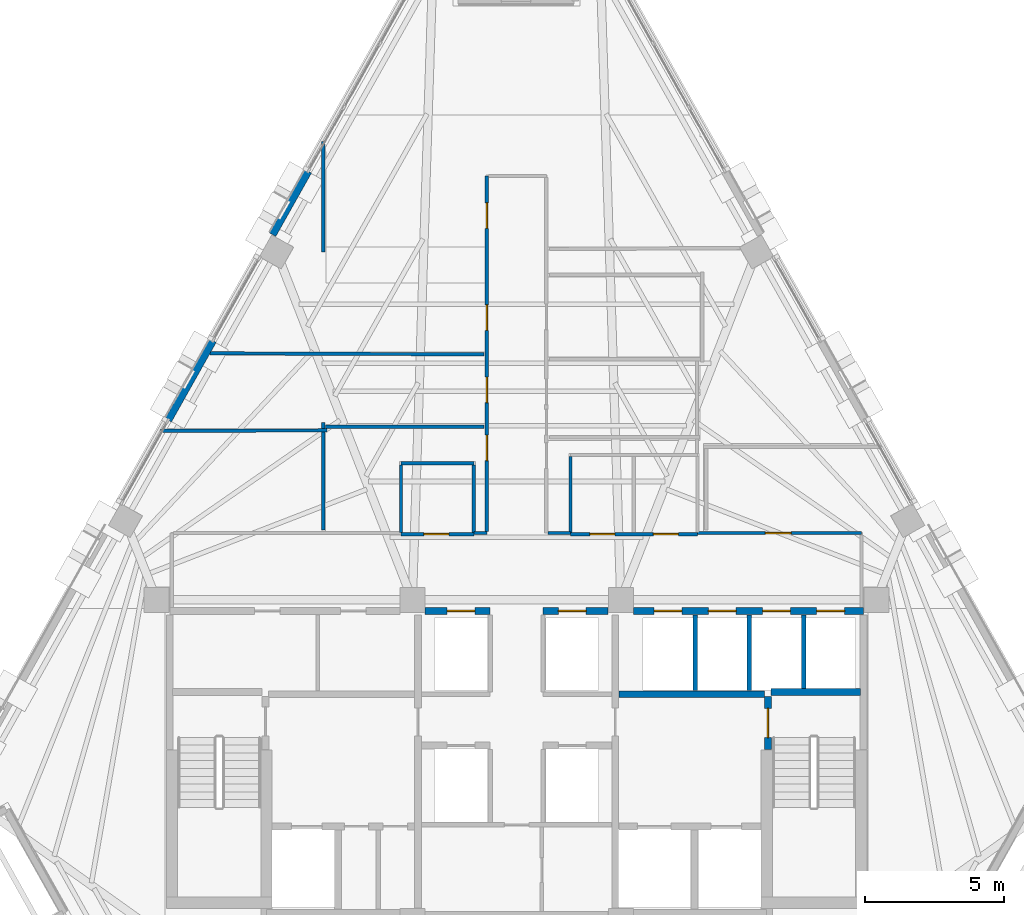
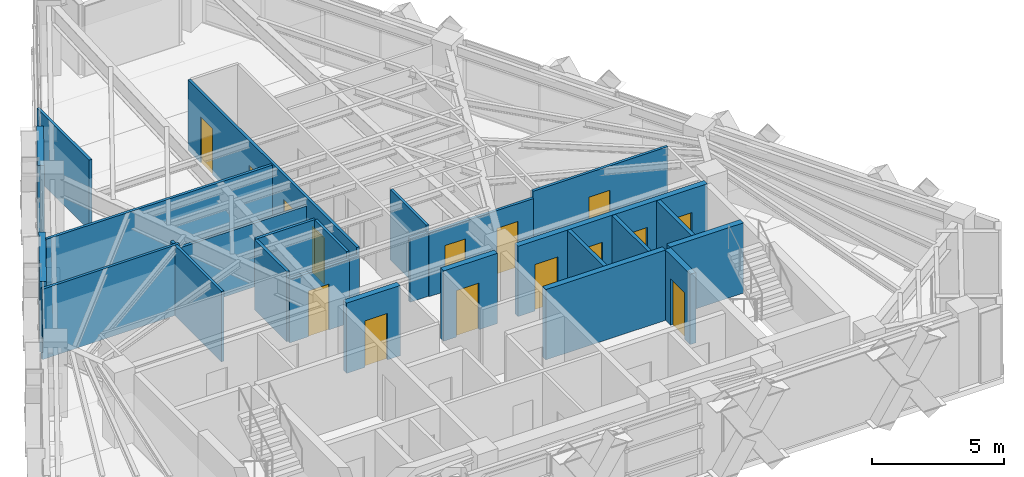
# One storey, part 9 of 15: 27 walls, 15 doors, 15 openings.
"""IFC4 building model written with IfcOpenShell, lengths in metres."""

from ifc_helpers import new_model, si_unit, direction, frame, frame_2d, origin, place, context, subcontext, project, spatial, rectangle, extrude, material, layer, layer_set, type_object, element, fill, save


model = new_model("IFC4")

# Units and contexts
model_context = context("Model", 3, precision=1e-05, world=origin(), true_north=direction((0.0, 1.0)))
body_context = subcontext(model_context, "Body", "Model", "MODEL_VIEW")
ifc_project = project(units=[si_unit("LENGTHUNIT", "METRE"), si_unit("AREAUNIT", "SQUARE_METRE"), si_unit("VOLUMEUNIT", "CUBIC_METRE"), si_unit("PLANEANGLEUNIT", "RADIAN"), si_unit("MASSUNIT", "GRAM", prefix="KILO")], contexts=[model_context])

# Site, building, storey
site_placement = place(None, origin())
site = spatial("IfcSite", under=ifc_project, at=site_placement, CompositionType="ELEMENT")
building_placement = place(site_placement, origin())
building = spatial("IfcBuilding", under=site, at=building_placement, Name="Quenlor Broadcast Tower", CompositionType="ELEMENT")
storey_placement = place(building_placement, frame((0.0, 0.0, 183.39990234375)))
storey = spatial("IfcBuildingStorey", under=building, at=storey_placement, Name="L50", CompositionType="ELEMENT", Elevation=183.39990234375)

# Wall, opening, door
ifc_material_1 = material(Name="Concrete C40/50", Category="concrete")
ifc_layer_1 = layer(ifc_material_1, 0.25)
ifc_layer_set_1 = layer_set([ifc_layer_1], Name="Fire Rated Concrete C40/50 Core Wall 250")
wall_type_1 = type_object("IfcWallType", Name="Fire Rated Concrete C40/50 Core Wall 250", PredefinedType="PARTITIONING", material=ifc_layer_set_1)
wall_1_placement = place(storey_placement, frame((9.0400390625, -10.179931640625, 0.0), z_axis=(0.0, 0.0, 1.0), x_axis=(0.0, 1.0, 0.0)))
wall_1 = element("IfcWall", 1, at=wall_1_placement, inside=storey, type_object=wall_type_1, Name="L50 Interior Wall CW-ST2-DR", PredefinedType="PARTITIONING", context=body_context, shape_type="SweptSolid", body=[
    extrude(rectangle(XDim=1.89990234375, YDim=0.25, at=frame_2d((0.949951171875, 0.0))), origin(), (0.0, 0.0, 1.0), 3.25),
])
opening_1_placement = place(wall_1_placement, frame((0.419921875, 0.0, 0.0)))
opening_1 = element("IfcOpeningElement", 2, at=opening_1_placement, cuts=wall_1, Name="Opening FD-1", PredefinedType="OPENING", context=body_context, shape_type="SweptSolid", body=[
    extrude(rectangle(XDim=1.050048828125, YDim=2.14990234375, at=frame_2d((0.52490234375, 1.074951171875))), frame((0.0, 0.135009765625, 0.0), z_axis=(0.0, -1.0, 0.0), x_axis=(1.0, 0.0, 0.0)), (0.0, 0.0, 1.0), 0.27001953125),
])
ifc_material_2 = material(Name="Fire Rated Steel Door Leaf", Category="steel")
door_type_1 = type_object("IfcDoorType", Name="Fire Isolated Stair Door 1050x2150", OperationType="NOTDEFINED", PredefinedType="DOOR", material=ifc_material_2)
door_1_placement = place(opening_1_placement, origin())
door_1 = element("IfcDoor", 3, at=door_1_placement, inside=storey, type_object=door_type_1, Name="L50 Door DR-ST2", OperationType="SINGLE_SWING_RIGHT", OverallHeight=2.14990234375, OverallWidth=1.050048828125, PredefinedType="DOOR", context=body_context, shape_type="SweptSolid", body=[
    extrude(rectangle(XDim=1.050048828125, YDim=2.14990234375, at=frame_2d((0.52490234375, 1.074951171875))), frame((0.0, 0.02490234375, 0.0), z_axis=(0.0, -1.0, 0.0), x_axis=(1.0, 0.0, 0.0)), (0.0, 0.0, 1.0), 0.050048828125),
])
fill(opening_1, door_1)

# Walls
wall_2_placement = place(storey_placement, frame((9.159912109375, -8.1201171875, 0.0), z_axis=(0.0, 0.0, 1.0), x_axis=(1.0, 0.0, 0.0)))
element("IfcWall", 4, at=wall_2_placement, inside=storey, type_object=wall_type_1, Name="L50 Interior Wall CW-ST2-N", PredefinedType="PARTITIONING", context=body_context, shape_type="SweptSolid", body=[
    extrude(rectangle(XDim=3.219970703125, YDim=0.25, at=frame_2d((1.60986328125, 0.0))), origin(), (0.0, 0.0, 1.0), 3.25),
])
wall_3_placement = place(storey_placement, frame((3.679931640625, -8.199951171875, 0.0), z_axis=(0.0, 0.0, 1.0), x_axis=(1.0, 0.0, 0.0)))
element("IfcWall", 5, at=wall_3_placement, inside=storey, type_object=wall_type_1, Name="L50 Interior Wall CW-FFE-N", PredefinedType="PARTITIONING", context=body_context, shape_type="SweptSolid", body=[
    extrude(rectangle(XDim=5.239990234375, YDim=0.25, at=frame_2d((2.6201171875, 0.0))), origin(), (0.0, 0.0, 1.0), 3.25),
])

# Wall, openings, doors
wall_4_placement = place(storey_placement, frame((4.201904296875, -5.199951171875, 0.0), z_axis=(0.0, 0.0, 1.0), x_axis=(1.0, 0.0, 0.0)))
wall_4 = element("IfcWall", 6, at=wall_4_placement, inside=storey, type_object=wall_type_1, Name="L50 Interior Wall CW-N-E", PredefinedType="PARTITIONING", context=body_context, shape_type="SweptSolid", body=[
    extrude(rectangle(XDim=8.278076171875, YDim=0.25, at=frame_2d((4.13916015625, 0.0))), origin(), (0.0, 0.0, 1.0), 3.25),
])
opening_2_placement = place(wall_4_placement, frame((0.748046875, 0.0, 0.0)))
opening_2 = element("IfcOpeningElement", 7, at=opening_2_placement, cuts=wall_4, Name="Opening LD-PL-H1", PredefinedType="OPENING", context=body_context, shape_type="SweptSolid", body=[
    extrude(rectangle(XDim=1.0, YDim=2.14990234375, at=frame_2d((0.5, 1.074951171875))), frame((0.0, 0.135009765625, 0.0), z_axis=(0.0, -1.0, 0.0), x_axis=(1.0, 0.0, 0.0)), (0.0, 0.0, 1.0), 0.27001953125),
])
opening_3_placement = place(wall_4_placement, frame((2.697998046875, 0.0, 0.0)))
opening_3 = element("IfcOpeningElement", 8, at=opening_3_placement, cuts=wall_4, Name="Opening LD-PL-H2", PredefinedType="OPENING", context=body_context, shape_type="SweptSolid", body=[
    extrude(rectangle(XDim=1.0, YDim=2.14990234375, at=frame_2d((0.5, 1.074951171875))), frame((0.0, 0.135009765625, 0.0), z_axis=(0.0, -1.0, 0.0), x_axis=(1.0, 0.0, 0.0)), (0.0, 0.0, 1.0), 0.27001953125),
])
opening_4_placement = place(wall_4_placement, frame((4.64794921875, 0.0, 0.0)))
opening_4 = element("IfcOpeningElement", 9, at=opening_4_placement, cuts=wall_4, Name="Opening LD-PL-H3", PredefinedType="OPENING", context=body_context, shape_type="SweptSolid", body=[
    extrude(rectangle(XDim=1.0, YDim=2.14990234375, at=frame_2d((0.5, 1.074951171875))), frame((0.0, 0.135009765625, 0.0), z_axis=(0.0, -1.0, 0.0), x_axis=(1.0, 0.0, 0.0)), (0.0, 0.0, 1.0), 0.27001953125),
])
opening_5_placement = place(wall_4_placement, frame((6.597900390625, 0.0, 0.0)))
opening_5 = element("IfcOpeningElement", 10, at=opening_5_placement, cuts=wall_4, Name="Opening LD-PL-H4", PredefinedType="OPENING", context=body_context, shape_type="SweptSolid", body=[
    extrude(rectangle(XDim=1.0, YDim=2.14990234375, at=frame_2d((0.5, 1.074951171875))), frame((0.0, 0.135009765625, 0.0), z_axis=(0.0, -1.0, 0.0), x_axis=(1.0, 0.0, 0.0)), (0.0, 0.0, 1.0), 0.27001953125),
])
ifc_material_3 = material(Name="Brushed Stainless Steel", Category="steel")
door_type_2 = type_object("IfcDoorType", Name="Passenger Lift Sliding Landing Door 1000x2150", OperationType="NOTDEFINED", PredefinedType="DOOR", material=ifc_material_3)
door_2_placement = place(opening_2_placement, origin())
door_2 = element("IfcDoor", 11, at=door_2_placement, inside=storey, type_object=door_type_2, Name="L50 Door LD-PL-H1", OperationType="SLIDING_TO_RIGHT", OverallHeight=2.14990234375, OverallWidth=1.0, PredefinedType="DOOR", context=body_context, shape_type="SweptSolid", body=[
    extrude(rectangle(XDim=1.0, YDim=2.14990234375, at=frame_2d((0.5, 1.074951171875))), frame((0.0, 0.02490234375, 0.0), z_axis=(0.0, -1.0, 0.0), x_axis=(1.0, 0.0, 0.0)), (0.0, 0.0, 1.0), 0.050048828125),
])
fill(opening_2, door_2)
door_3_placement = place(opening_3_placement, origin())
door_3 = element("IfcDoor", 12, at=door_3_placement, inside=storey, type_object=door_type_2, Name="L50 Door LD-PL-H2", OperationType="SLIDING_TO_RIGHT", OverallHeight=2.14990234375, OverallWidth=1.0, PredefinedType="DOOR", context=body_context, shape_type="SweptSolid", body=[
    extrude(rectangle(XDim=1.0, YDim=2.14990234375, at=frame_2d((0.5, 1.074951171875))), frame((0.0, 0.02490234375, 0.0), z_axis=(0.0, -1.0, 0.0), x_axis=(1.0, 0.0, 0.0)), (0.0, 0.0, 1.0), 0.050048828125),
])
fill(opening_3, door_3)
door_4_placement = place(opening_4_placement, origin())
door_4 = element("IfcDoor", 13, at=door_4_placement, inside=storey, type_object=door_type_2, Name="L50 Door LD-PL-H3", OperationType="SLIDING_TO_RIGHT", OverallHeight=2.14990234375, OverallWidth=1.0, PredefinedType="DOOR", context=body_context, shape_type="SweptSolid", body=[
    extrude(rectangle(XDim=1.0, YDim=2.14990234375, at=frame_2d((0.5, 1.074951171875))), frame((0.0, 0.02490234375, 0.0), z_axis=(0.0, -1.0, 0.0), x_axis=(1.0, 0.0, 0.0)), (0.0, 0.0, 1.0), 0.050048828125),
])
fill(opening_4, door_4)
door_5_placement = place(opening_5_placement, origin())
door_5 = element("IfcDoor", 14, at=door_5_placement, inside=storey, type_object=door_type_2, Name="L50 Door LD-PL-H4", OperationType="SLIDING_TO_RIGHT", OverallHeight=2.14990234375, OverallWidth=1.0, PredefinedType="DOOR", context=body_context, shape_type="SweptSolid", body=[
    extrude(rectangle(XDim=1.0, YDim=2.14990234375, at=frame_2d((0.5, 1.074951171875))), frame((0.0, 0.02490234375, 0.0), z_axis=(0.0, -1.0, 0.0), x_axis=(1.0, 0.0, 0.0)), (0.0, 0.0, 1.0), 0.050048828125),
])
fill(opening_5, door_5)

# Wall, opening, door
wall_5_placement = place(storey_placement, frame((-3.298095703125, -5.199951171875, 0.0), z_axis=(0.0, 0.0, 1.0), x_axis=(1.0, 0.0, 0.0)))
wall_5 = element("IfcWall", 15, at=wall_5_placement, inside=storey, type_object=wall_type_1, Name="L50 Interior Wall CW-N-M1", PredefinedType="PARTITIONING", context=body_context, shape_type="SweptSolid", body=[
    extrude(rectangle(XDim=2.34814453125, YDim=0.25, at=frame_2d((1.174072265625, 0.0))), origin(), (0.0, 0.0, 1.0), 3.25),
])
opening_6_placement = place(wall_5_placement, frame((0.798095703125, 0.0, 0.0)))
opening_6 = element("IfcOpeningElement", 16, at=opening_6_placement, cuts=wall_5, Name="Opening LD-PL-M1", PredefinedType="OPENING", context=body_context, shape_type="SweptSolid", body=[
    extrude(rectangle(XDim=1.0, YDim=2.14990234375, at=frame_2d((0.5, 1.074951171875))), frame((0.0, 0.135009765625, 0.0), z_axis=(0.0, -1.0, 0.0), x_axis=(1.0, 0.0, 0.0)), (0.0, 0.0, 1.0), 0.27001953125),
])
door_6_placement = place(opening_6_placement, origin())
door_6 = element("IfcDoor", 17, at=door_6_placement, inside=storey, type_object=door_type_2, Name="L50 Door LD-PL-M1", OperationType="SLIDING_TO_LEFT", OverallHeight=2.14990234375, OverallWidth=1.0, PredefinedType="DOOR", context=body_context, shape_type="SweptSolid", body=[
    extrude(rectangle(XDim=1.0, YDim=2.14990234375, at=frame_2d((0.5, 1.074951171875))), frame((0.0, 0.02490234375, 0.0), z_axis=(0.0, -1.0, 0.0), x_axis=(1.0, 0.0, 0.0)), (0.0, 0.0, 1.0), 0.050048828125),
])
fill(opening_6, door_6)

wall_6_placement = place(storey_placement, frame((0.949951171875, -5.199951171875, 0.0), z_axis=(0.0, 0.0, 1.0), x_axis=(1.0, 0.0, 0.0)))
wall_6 = element("IfcWall", 18, at=wall_6_placement, inside=storey, type_object=wall_type_1, Name="L50 Interior Wall CW-N-M2", PredefinedType="PARTITIONING", context=body_context, shape_type="SweptSolid", body=[
    extrude(rectangle(XDim=2.34814453125, YDim=0.25, at=frame_2d((1.174072265625, 0.0))), origin(), (0.0, 0.0, 1.0), 3.25),
])
opening_7_placement = place(wall_6_placement, frame((0.550048828125, 0.0, 0.0)))
opening_7 = element("IfcOpeningElement", 19, at=opening_7_placement, cuts=wall_6, Name="Opening LD-PL-M2", PredefinedType="OPENING", context=body_context, shape_type="SweptSolid", body=[
    extrude(rectangle(XDim=1.0, YDim=2.14990234375, at=frame_2d((0.5, 1.074951171875))), frame((0.0, 0.135009765625, 0.0), z_axis=(0.0, -1.0, 0.0), x_axis=(1.0, 0.0, 0.0)), (0.0, 0.0, 1.0), 0.27001953125),
])
door_7_placement = place(opening_7_placement, origin())
door_7 = element("IfcDoor", 20, at=door_7_placement, inside=storey, type_object=door_type_2, Name="L50 Door LD-PL-M2", OperationType="SLIDING_TO_RIGHT", OverallHeight=2.14990234375, OverallWidth=1.0, PredefinedType="DOOR", context=body_context, shape_type="SweptSolid", body=[
    extrude(rectangle(XDim=1.0, YDim=2.14990234375, at=frame_2d((0.5, 1.074951171875))), frame((0.0, 0.02490234375, 0.0), z_axis=(0.0, -1.0, 0.0), x_axis=(1.0, 0.0, 0.0)), (0.0, 0.0, 1.0), 0.050048828125),
])
fill(opening_7, door_7)

# Walls
ifc_material_4 = material(Name="Gypsum Fireboard Partition", Category="other")
ifc_layer_2 = layer(ifc_material_4, 0.159912109375)
ifc_layer_set_2 = layer_set([ifc_layer_2], Name="Fire Rated Shaft and Corridor Partition 160")
wall_type_2 = type_object("IfcWallType", Name="Fire Rated Shaft and Corridor Partition 160", PredefinedType="PARTITIONING", material=ifc_layer_set_2)
for number, where, z_axis, x_axis, name in (
    (21, (6.425048828125, -8.072998046875, 0.0), (0.0, 0.0, 1.0), (0.0, 1.0, 0.0), "L50 Interior Wall CW-PLH-D1"),
    (22, (8.375, -8.072998046875, 0.0), (0.0, 0.0, 1.0), (0.0, 1.0, 0.0), "L50 Interior Wall CW-PLH-D2"),
):
    element("IfcWall", number, at=place(storey_placement, frame(where, z_axis=z_axis, x_axis=x_axis)), inside=storey, type_object=wall_type_2, Name=name, PredefinedType="PARTITIONING", context=body_context, shape_type="SweptSolid", body=[
        extrude(rectangle(XDim=2.73291015625, YDim=0.159912109375, at=frame_2d((1.366455078125, 0.0))), origin(), (0.0, 0.0, 1.0), 3.25),
    ])
wall_7_placement = place(storey_placement, frame((10.324951171875, -7.992919921875, 0.0), z_axis=(0.0, 0.0, 1.0), x_axis=(0.0, 1.0, 0.0)))
element("IfcWall", 23, at=wall_7_placement, inside=storey, type_object=wall_type_2, Name="L50 Interior Wall CW-PLH-D3", PredefinedType="PARTITIONING", context=body_context, shape_type="SweptSolid", body=[
    extrude(rectangle(XDim=2.65283203125, YDim=0.159912109375, at=frame_2d((1.326416015625, 0.0))), origin(), (0.0, 0.0, 1.0), 3.25),
])

# Wall, opening, door
ifc_material_5 = material(Name="Gypsum Plasterboard Partition", Category="other")
ifc_layer_3 = layer(ifc_material_5, 0.1201171875)
ifc_layer_set_3 = layer_set([ifc_layer_3], Name="Standard Office Partition 120")
wall_type_3 = type_object("IfcWallType", Name="Standard Office Partition 120", PredefinedType="PARTITIONING", material=ifc_layer_set_3)
wall_8_placement = place(storey_placement, frame((-4.159912109375, -2.43994140625, 0.0), z_axis=(0.0, 0.0, 1.0), x_axis=(1.0, 0.0, 0.0)))
wall_8 = element("IfcWall", 24, at=wall_8_placement, inside=storey, type_object=wall_type_3, Name="L50 Interior Wall PW-AWC-S", PredefinedType="PARTITIONING", context=body_context, shape_type="SweptSolid", body=[
    extrude(rectangle(XDim=2.619873046875, YDim=0.1201171875, at=frame_2d((1.31005859375, 0.0))), origin(), (0.0, 0.0, 1.0), 2.94287109375),
])
opening_8_placement = place(wall_8_placement, frame((0.820068359375, 0.0, 0.0)))
opening_8 = element("IfcOpeningElement", 25, at=opening_8_placement, cuts=wall_8, Name="Opening ID-3", PredefinedType="OPENING", context=body_context, shape_type="SweptSolid", body=[
    extrude(rectangle(XDim=0.89990234375, YDim=2.1201171875, at=frame_2d((0.449951171875, 1.06005859375))), frame((0.0, 0.070068359375, 0.0), z_axis=(0.0, -1.0, 0.0), x_axis=(1.0, 0.0, 0.0)), (0.0, 0.0, 1.0), 0.14013671875),
])
ifc_material_6 = material(Name="Moisture Resistant Timber Oak", Category="wood")
door_type_3 = type_object("IfcDoorType", Name="Washroom Privacy Door 900x2120", OperationType="NOTDEFINED", PredefinedType="DOOR", material=ifc_material_6)
door_8_placement = place(opening_8_placement, origin())
door_8 = element("IfcDoor", 26, at=door_8_placement, inside=storey, type_object=door_type_3, Name="L50 Door DR-AWC", OperationType="SINGLE_SWING_LEFT", OverallHeight=2.1201171875, OverallWidth=0.89990234375, PredefinedType="DOOR", context=body_context, shape_type="SweptSolid", body=[
    extrude(rectangle(XDim=0.89990234375, YDim=2.1201171875, at=frame_2d((0.449951171875, 1.06005859375))), frame((0.0, 0.02490234375, 0.0), z_axis=(0.0, -1.0, 0.0), x_axis=(1.0, 0.0, 0.0)), (0.0, 0.0, 1.0), 0.050048828125),
])
fill(opening_8, door_8)

# Walls
wall_9_placement = place(storey_placement, frame((-4.159912109375, 0.110107421875, 0.0), z_axis=(0.0, 0.0, 1.0), x_axis=(1.0, 0.0, 0.0)))
element("IfcWall", 27, at=wall_9_placement, inside=storey, type_object=wall_type_3, Name="L50 Interior Wall PW-AWC-N", PredefinedType="PARTITIONING", context=body_context, shape_type="SweptSolid", body=[
    extrude(rectangle(XDim=2.619873046875, YDim=0.1201171875, at=frame_2d((1.31005859375, 0.0))), origin(), (0.0, 0.0, 1.0), 3.25),
])
for number, where, z_axis, x_axis, name in (
    (28, (-4.159912109375, -2.3779296875, 0.0), (0.0, 0.0, 1.0), (0.0, 1.0, 0.0), "L50 Interior Wall PW-AWC-W"),
    (29, (-1.5400390625, -2.3779296875, 0.0), (0.0, 0.0, 1.0), (0.0, 1.0, 0.0), "L50 Interior Wall PW-AWC-E"),
):
    element("IfcWall", number, at=place(storey_placement, frame(where, z_axis=z_axis, x_axis=x_axis)), inside=storey, type_object=wall_type_3, Name=name, PredefinedType="PARTITIONING", context=body_context, shape_type="SweptSolid", body=[
        extrude(rectangle(XDim=2.426025390625, YDim=0.1201171875, at=frame_2d((1.212890625, 0.0))), origin(), (0.0, 0.0, 1.0), 3.25),
    ])

# Wall, openings, doors
wall_10_placement = place(storey_placement, frame((1.93994140625, -2.43994140625, 0.0), z_axis=(0.0, 0.0, 1.0), x_axis=(1.0, 0.0, 0.0)))
wall_10 = element("IfcWall", 30, at=wall_10_placement, inside=storey, type_object=wall_type_3, Name="L50 Interior Wall PW-WC-S", PredefinedType="PARTITIONING", context=body_context, shape_type="SweptSolid", body=[
    extrude(rectangle(XDim=4.570068359375, YDim=0.1201171875, at=frame_2d((2.28515625, 0.0))), origin(), (0.0, 0.0, 1.0), 2.94287109375),
])
opening_9_placement = place(wall_10_placement, frame((0.699951171875, 0.0, 0.0)))
opening_9 = element("IfcOpeningElement", 31, at=opening_9_placement, cuts=wall_10, Name="Opening ID-3", PredefinedType="OPENING", context=body_context, shape_type="SweptSolid", body=[
    extrude(rectangle(XDim=0.89990234375, YDim=2.1201171875, at=frame_2d((0.449951171875, 1.06005859375))), frame((0.0, 0.070068359375, 0.0), z_axis=(0.0, -1.0, 0.0), x_axis=(1.0, 0.0, 0.0)), (0.0, 0.0, 1.0), 0.14013671875),
])
opening_10_placement = place(wall_10_placement, frame((2.97998046875, 0.0, 0.0)))
opening_10 = element("IfcOpeningElement", 32, at=opening_10_placement, cuts=wall_10, Name="Opening ID-3", PredefinedType="OPENING", context=body_context, shape_type="SweptSolid", body=[
    extrude(rectangle(XDim=0.89990234375, YDim=2.1201171875, at=frame_2d((0.449951171875, 1.06005859375))), frame((0.0, 0.070068359375, 0.0), z_axis=(0.0, -1.0, 0.0), x_axis=(1.0, 0.0, 0.0)), (0.0, 0.0, 1.0), 0.14013671875),
])
door_9_placement = place(opening_9_placement, origin())
door_9 = element("IfcDoor", 33, at=door_9_placement, inside=storey, type_object=door_type_3, Name="L50 Door DR-MWC", OperationType="SINGLE_SWING_LEFT", OverallHeight=2.1201171875, OverallWidth=0.89990234375, PredefinedType="DOOR", context=body_context, shape_type="SweptSolid", body=[
    extrude(rectangle(XDim=0.89990234375, YDim=2.1201171875, at=frame_2d((0.449951171875, 1.06005859375))), frame((0.0, 0.02490234375, 0.0), z_axis=(0.0, -1.0, 0.0), x_axis=(1.0, 0.0, 0.0)), (0.0, 0.0, 1.0), 0.050048828125),
])
fill(opening_9, door_9)
door_10_placement = place(opening_10_placement, origin())
door_10 = element("IfcDoor", 34, at=door_10_placement, inside=storey, type_object=door_type_3, Name="L50 Door DR-FWC", OperationType="SINGLE_SWING_RIGHT", OverallHeight=2.1201171875, OverallWidth=0.89990234375, PredefinedType="DOOR", context=body_context, shape_type="SweptSolid", body=[
    extrude(rectangle(XDim=0.89990234375, YDim=2.1201171875, at=frame_2d((0.449951171875, 1.06005859375))), frame((0.0, 0.02490234375, 0.0), z_axis=(0.0, -1.0, 0.0), x_axis=(1.0, 0.0, 0.0)), (0.0, 0.0, 1.0), 0.050048828125),
])
fill(opening_10, door_10)

# Walls
wall_11_placement = place(storey_placement, frame((1.93994140625, -2.3779296875, 0.0), z_axis=(0.0, 0.0, 1.0), x_axis=(0.0, 1.0, 0.0)))
element("IfcWall", 35, at=wall_11_placement, inside=storey, type_object=wall_type_3, Name="L50 Interior Wall PW-WC-W", PredefinedType="PARTITIONING", context=body_context, shape_type="SweptSolid", body=[
    extrude(rectangle(XDim=2.725830078125, YDim=0.1201171875, at=frame_2d((1.36279296875, 0.0))), origin(), (0.0, 0.0, 1.0), 3.25),
])
wall_12_placement = place(storey_placement, frame((-1.5380859375, -2.39990234375, 0.0), z_axis=(0.0, 0.0, 1.0), x_axis=(1.0, 0.0, 0.0)))
element("IfcWall", 36, at=wall_12_placement, inside=storey, type_object=wall_type_3, Name="L50 Interior Wall PW-CR-02S2", PredefinedType="PARTITIONING", context=body_context, shape_type="SweptSolid", body=[
    extrude(rectangle(XDim=0.468017578125, YDim=0.1201171875, at=frame_2d((0.23388671875, 0.0))), origin(), (0.0, 0.0, 1.0), 2.94287109375),
])

# Wall, openings, doors
wall_13_placement = place(storey_placement, frame((-1.070068359375, -2.337890625, 0.0), z_axis=(0.0, 0.0, 1.0), x_axis=(0.0, 1.0, 0.0)))
wall_13 = element("IfcWall", 37, at=wall_13_placement, inside=storey, type_object=wall_type_3, Name="L50 Interior Wall PW-CR-03", PredefinedType="PARTITIONING", context=body_context, shape_type="SweptSolid", body=[
    extrude(rectangle(XDim=12.787841796875, YDim=0.1201171875, at=frame_2d((6.39404296875, 0.0))), origin(), (0.0, 0.0, 1.0), 3.25),
])
opening_11_placement = place(wall_13_placement, frame((10.904052734375, 0.0, 0.0)))
opening_11 = element("IfcOpeningElement", 38, at=opening_11_placement, cuts=wall_13, Name="Opening ID-1", PredefinedType="OPENING", context=body_context, shape_type="SweptSolid", body=[
    extrude(rectangle(XDim=0.919921875, YDim=2.1201171875, at=frame_2d((0.4599609375, 1.06005859375))), frame((0.0, 0.070068359375, 0.0), z_axis=(0.0, -1.0, 0.0), x_axis=(1.0, 0.0, 0.0)), (0.0, 0.0, 1.0), 0.14013671875),
])
opening_12_placement = place(wall_13_placement, frame((7.22802734375, 0.0, 0.0)))
opening_12 = element("IfcOpeningElement", 39, at=opening_12_placement, cuts=wall_13, Name="Opening ID-1", PredefinedType="OPENING", context=body_context, shape_type="SweptSolid", body=[
    extrude(rectangle(XDim=0.919921875, YDim=2.1201171875, at=frame_2d((0.4599609375, 1.06005859375))), frame((0.0, 0.070068359375, 0.0), z_axis=(0.0, -1.0, 0.0), x_axis=(1.0, 0.0, 0.0)), (0.0, 0.0, 1.0), 0.14013671875),
])
opening_13_placement = place(wall_13_placement, frame((4.6279296875, 0.0, 0.0)))
opening_13 = element("IfcOpeningElement", 40, at=opening_13_placement, cuts=wall_13, Name="Opening ID-1", PredefinedType="OPENING", context=body_context, shape_type="SweptSolid", body=[
    extrude(rectangle(XDim=0.919921875, YDim=2.1201171875, at=frame_2d((0.4599609375, 1.06005859375))), frame((0.0, 0.070068359375, 0.0), z_axis=(0.0, -1.0, 0.0), x_axis=(1.0, 0.0, 0.0)), (0.0, 0.0, 1.0), 0.14013671875),
])
opening_14_placement = place(wall_13_placement, frame((2.5419921875, 0.0, 0.0)))
opening_14 = element("IfcOpeningElement", 41, at=opening_14_placement, cuts=wall_13, Name="Opening ID-1", PredefinedType="OPENING", context=body_context, shape_type="SweptSolid", body=[
    extrude(rectangle(XDim=0.919921875, YDim=2.1201171875, at=frame_2d((0.4599609375, 1.06005859375))), frame((0.0, 0.070068359375, 0.0), z_axis=(0.0, -1.0, 0.0), x_axis=(1.0, 0.0, 0.0)), (0.0, 0.0, 1.0), 0.14013671875),
])
ifc_material_7 = material(Name="Solid Core Timber Oak", Category="wood")
door_type_4 = type_object("IfcDoorType", Name="Single Leaf Timber Office Door 920x2120", OperationType="NOTDEFINED", PredefinedType="DOOR", material=ifc_material_7)
door_11_placement = place(opening_11_placement, origin())
door_11 = element("IfcDoor", 42, at=door_11_placement, inside=storey, type_object=door_type_4, Name="L50 Door DR-RM01", OperationType="SINGLE_SWING_RIGHT", OverallHeight=2.1201171875, OverallWidth=0.919921875, PredefinedType="DOOR", context=body_context, shape_type="SweptSolid", body=[
    extrude(rectangle(XDim=0.919921875, YDim=2.1201171875, at=frame_2d((0.4599609375, 1.06005859375))), frame((0.0, 0.02490234375, 0.0), z_axis=(0.0, -1.0, 0.0), x_axis=(1.0, 0.0, 0.0)), (0.0, 0.0, 1.0), 0.050048828125),
])
fill(opening_11, door_11)
door_12_placement = place(opening_12_placement, origin())
door_12 = element("IfcDoor", 43, at=door_12_placement, inside=storey, type_object=door_type_4, Name="L50 Door DR-RM02", OperationType="SINGLE_SWING_LEFT", OverallHeight=2.1201171875, OverallWidth=0.919921875, PredefinedType="DOOR", context=body_context, shape_type="SweptSolid", body=[
    extrude(rectangle(XDim=0.919921875, YDim=2.1201171875, at=frame_2d((0.4599609375, 1.06005859375))), frame((0.0, 0.02490234375, 0.0), z_axis=(0.0, -1.0, 0.0), x_axis=(1.0, 0.0, 0.0)), (0.0, 0.0, 1.0), 0.050048828125),
])
fill(opening_12, door_12)
door_13_placement = place(opening_13_placement, origin())
door_13 = element("IfcDoor", 44, at=door_13_placement, inside=storey, type_object=door_type_4, Name="L50 Door DR-RM05", OperationType="SINGLE_SWING_RIGHT", OverallHeight=2.1201171875, OverallWidth=0.919921875, PredefinedType="DOOR", context=body_context, shape_type="SweptSolid", body=[
    extrude(rectangle(XDim=0.919921875, YDim=2.1201171875, at=frame_2d((0.4599609375, 1.06005859375))), frame((0.0, 0.02490234375, 0.0), z_axis=(0.0, -1.0, 0.0), x_axis=(1.0, 0.0, 0.0)), (0.0, 0.0, 1.0), 0.050048828125),
])
fill(opening_13, door_13)
door_14_placement = place(opening_14_placement, origin())
door_14 = element("IfcDoor", 45, at=door_14_placement, inside=storey, type_object=door_type_4, Name="L50 Door DR-RM07", OperationType="SINGLE_SWING_RIGHT", OverallHeight=2.1201171875, OverallWidth=0.919921875, PredefinedType="DOOR", context=body_context, shape_type="SweptSolid", body=[
    extrude(rectangle(XDim=0.919921875, YDim=2.1201171875, at=frame_2d((0.4599609375, 1.06005859375))), frame((0.0, 0.02490234375, 0.0), z_axis=(0.0, -1.0, 0.0), x_axis=(1.0, 0.0, 0.0)), (0.0, 0.0, 1.0), 0.050048828125),
])
fill(opening_14, door_14)

# Wall
wall_14_placement = place(storey_placement, frame((1.132080078125, -2.39990234375, 0.0), z_axis=(0.0, 0.0, 1.0), x_axis=(1.0, 0.0, 0.0)))
element("IfcWall", 46, at=wall_14_placement, inside=storey, type_object=wall_type_3, Name="L50 Interior Wall PW-CR-06", PredefinedType="PARTITIONING", context=body_context, shape_type="SweptSolid", body=[
    extrude(rectangle(XDim=0.805908203125, YDim=0.1201171875, at=frame_2d((0.40283203125, 0.0))), origin(), (0.0, 0.0, 1.0), 2.94287109375),
])

# Wall, opening, door
wall_15_placement = place(storey_placement, frame((6.511962890625, -2.39990234375, 0.0), z_axis=(0.0, 0.0, 1.0), x_axis=(1.0, 0.0, 0.0)))
wall_15 = element("IfcWall", 47, at=wall_15_placement, inside=storey, type_object=wall_type_3, Name="L50 Interior Wall PW-CR-06S2", PredefinedType="PARTITIONING", context=body_context, shape_type="SweptSolid", body=[
    extrude(rectangle(XDim=5.89794921875, YDim=0.1201171875, at=frame_2d((2.948974609375, 0.0))), origin(), (0.0, 0.0, 1.0), 3.25),
])
opening_15_placement = place(wall_15_placement, frame((2.444091796875, 0.0, 0.0)))
opening_15 = element("IfcOpeningElement", 48, at=opening_15_placement, cuts=wall_15, Name="Opening ID-1", PredefinedType="OPENING", context=body_context, shape_type="SweptSolid", body=[
    extrude(rectangle(XDim=0.919921875, YDim=2.1201171875, at=frame_2d((0.4599609375, 1.06005859375))), frame((0.0, 0.070068359375, 0.0), z_axis=(0.0, -1.0, 0.0), x_axis=(1.0, 0.0, 0.0)), (0.0, 0.0, 1.0), 0.14013671875),
])
door_15_placement = place(opening_15_placement, origin())
door_15 = element("IfcDoor", 49, at=door_15_placement, inside=storey, type_object=door_type_4, Name="L50 Door DR-RM08", OperationType="SINGLE_SWING_LEFT", OverallHeight=2.1201171875, OverallWidth=0.919921875, PredefinedType="DOOR", context=body_context, shape_type="SweptSolid", body=[
    extrude(rectangle(XDim=0.919921875, YDim=2.1201171875, at=frame_2d((0.4599609375, 1.06005859375))), frame((0.0, 0.02490234375, 0.0), z_axis=(0.0, -1.0, 0.0), x_axis=(1.0, 0.0, 0.0)), (0.0, 0.0, 1.0), 0.050048828125),
])
fill(opening_15, door_15)

# Walls
wall_16_placement = place(storey_placement, frame((-6.960205078125, 7.720458984375, 0.0), z_axis=(0.0, 0.0, 1.0), x_axis=(0.001230616838, 0.999999242791, 0.0)))
element("IfcWall", 50, at=wall_16_placement, inside=storey, type_object=wall_type_3, Name="L50 Interior Wall PW-DV-01", PredefinedType="PARTITIONING", context=body_context, shape_type="SweptSolid", body=[
    extrude(rectangle(XDim=3.9677734375, YDim=0.1201171875, at=frame_2d((1.98388671875, 0.0))), origin(), (0.0, 0.0, 1.0), 3.25),
])
wall_17_placement = place(storey_placement, frame((-1.179931640625, 4.030517578125, 0.0), z_axis=(0.0, 0.0, 1.0), x_axis=(-0.999992130867, 0.003967140436, 0.0)))
element("IfcWall", 51, at=wall_17_placement, inside=storey, type_object=wall_type_3, Name="L50 Interior Wall PW-DV-03", PredefinedType="PARTITIONING", context=body_context, shape_type="SweptSolid", body=[
    extrude(rectangle(XDim=9.846435546875, YDim=0.1201171875, at=frame_2d((4.92333984375, 0.0))), origin(), (0.0, 0.0, 1.0), 3.25),
])
wall_18_placement = place(storey_placement, frame((-1.179931640625, 1.429931640625, 0.0), z_axis=(0.0, 0.0, 1.0), x_axis=(-1.0, 0.0, 0.0)))
element("IfcWall", 52, at=wall_18_placement, inside=storey, type_object=wall_type_3, Name="L50 Interior Wall PW-DV-11", PredefinedType="PARTITIONING", context=body_context, shape_type="SweptSolid", body=[
    extrude(rectangle(XDim=5.70458984375, YDim=0.1201171875, at=frame_2d((2.852294921875, 0.0))), origin(), (0.0, 0.0, 1.0), 2.94287109375),
])
wall_19_placement = place(storey_placement, frame((-6.820068359375, 1.294921875, 0.0), z_axis=(0.0, 0.0, 1.0), x_axis=(-0.99999659811, -0.002608403256, 0.0)))
element("IfcWall", 53, at=wall_19_placement, inside=storey, type_object=wall_type_3, Name="L50 Interior Wall PW-DV-12", PredefinedType="PARTITIONING", context=body_context, shape_type="SweptSolid", body=[
    extrude(rectangle(XDim=5.990234375, YDim=0.1201171875, at=frame_2d((2.9951171875, 0.0))), origin(), (0.0, 0.0, 1.0), 3.25),
])
wall_20_placement = place(storey_placement, frame((-6.9599609375, -2.2900390625, 0.0), z_axis=(0.0, 0.0, 1.0), x_axis=(0.0, 1.0, 0.0)))
element("IfcWall", 54, at=wall_20_placement, inside=storey, type_object=wall_type_3, Name="L50 Interior Wall PW-DV-13", PredefinedType="PARTITIONING", context=body_context, shape_type="SweptSolid", body=[
    extrude(rectangle(XDim=3.5224609375, YDim=0.1201171875, at=frame_2d((1.76123046875, 0.0))), origin(), (0.0, 0.0, 1.0), 3.25),
])
wall_21_placement = place(storey_placement, frame((-6.9599609375, 1.3564453125, 0.0), z_axis=(0.0, 0.0, 1.0), x_axis=(0.0, 1.0, 0.0)))
element("IfcWall", 55, at=wall_21_placement, inside=storey, type_object=wall_type_3, Name="L50 Interior Wall PW-DV-13S2", PredefinedType="PARTITIONING", context=body_context, shape_type="SweptSolid", body=[
    extrude(rectangle(XDim=0.213623046875, YDim=0.1201171875, at=frame_2d((0.10693359375, 0.0))), origin(), (0.0, 0.0, 1.0), 3.25),
])
ifc_material_8 = material(Name="Precast concrete C40/50", Category="concrete")
ifc_layer_4 = layer(ifc_material_8, 0.260009765625)
ifc_layer_set_4 = layer_set([ifc_layer_4], Name="Terracotta Precast Concrete C40/50 Upper Wall 260")
wall_type_4 = type_object("IfcWallType", Name="Terracotta Precast Concrete C40/50 Upper Wall 260", PredefinedType="STANDARD", material=ifc_layer_set_4)
wall_22_placement = place(storey_placement, frame((-8.777099609375, 8.33740234375, 0.0), z_axis=(0.0, 0.0, 1.0), x_axis=(0.490301099378, 0.871553114818, 0.0)))
element("IfcWall", 56, at=wall_22_placement, inside=storey, type_object=wall_type_4, Name="L50 Exterior Wall L50-NWC-SP1", PredefinedType="STANDARD", context=body_context, shape_type="SweptSolid", body=[
    extrude(rectangle(XDim=2.6171875, YDim=0.260009765625, at=frame_2d((1.30859375, 0.0))), origin(), (0.0, 0.0, 1.0), 3.25),
])
wall_23_placement = place(storey_placement, frame((-12.53466796875, 1.6572265625, 0.0), z_axis=(0.0, 0.0, 1.0), x_axis=(0.490264765862, 0.871573553611, 0.0)))
element("IfcWall", 57, at=wall_23_placement, inside=storey, type_object=wall_type_4, Name="L50 Exterior Wall L50-NW-SP1", PredefinedType="STANDARD", context=body_context, shape_type="SweptSolid", body=[
    extrude(rectangle(XDim=3.287109375, YDim=0.260009765625, at=frame_2d((1.6435546875, 0.0))), origin(), (0.0, 0.0, 1.0), 3.25),
])

save(model, "model.ifc")
